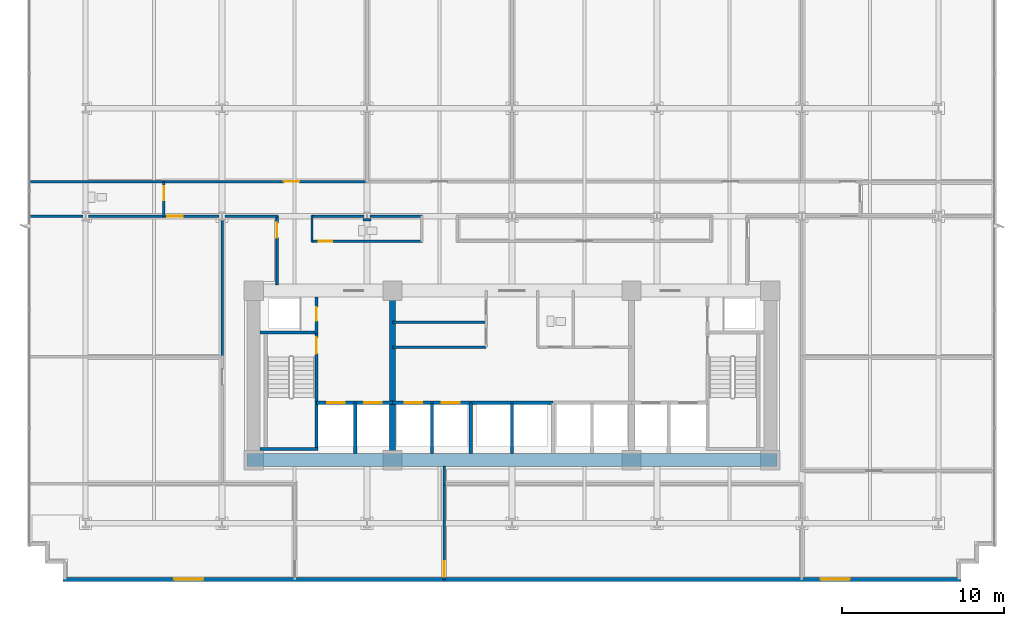
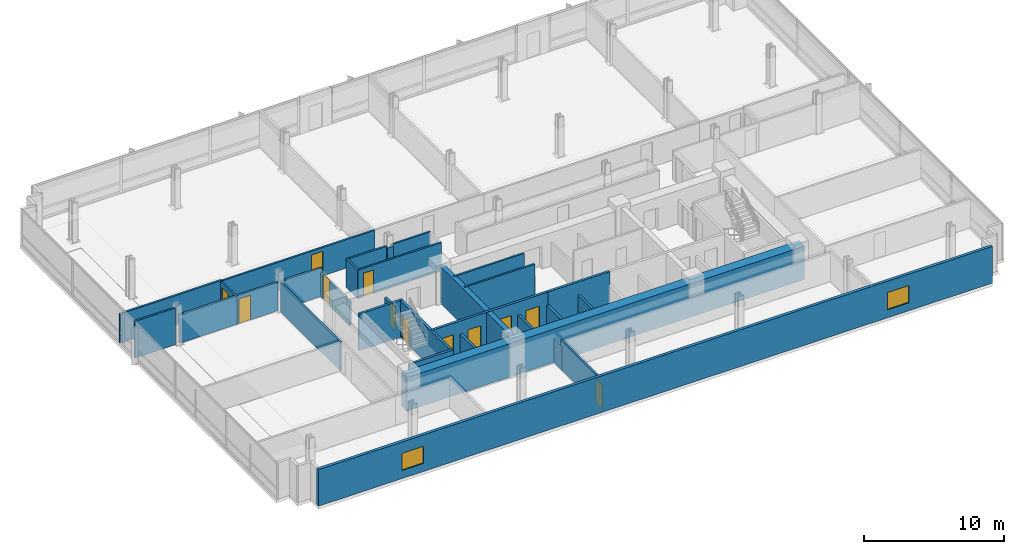
# One storey, part 8 of 14: 32 walls, 12 doors, 2 windows, 14 openings.
"""IFC4 building model written with IfcOpenShell, lengths in metres."""

from ifc_helpers import new_model, si_unit, direction, frame, frame_2d, origin, place, context, subcontext, project, spatial, rectangle, extrude, material, layer, layer_set, type_object, element, fill, save


model = new_model("IFC4")

# Units and contexts
model_context = context("Model", 3, precision=1e-05, world=origin(), true_north=direction((0.0, 1.0)))
body_context = subcontext(model_context, "Body", "Model", "MODEL_VIEW")
ifc_project = project(units=[si_unit("LENGTHUNIT", "METRE"), si_unit("AREAUNIT", "SQUARE_METRE"), si_unit("VOLUMEUNIT", "CUBIC_METRE"), si_unit("PLANEANGLEUNIT", "RADIAN"), si_unit("MASSUNIT", "GRAM", prefix="KILO")], contexts=[model_context])

# Site, building, storey
site_placement = place(None, origin())
site = spatial("IfcSite", under=ifc_project, at=site_placement, CompositionType="ELEMENT")
building_placement = place(site_placement, origin())
building = spatial("IfcBuilding", under=site, at=building_placement, Name="Solmavex Isthmus Hotel", CompositionType="ELEMENT")
storey_placement = place(building_placement, frame((0.0, 0.0, 50.550048828125)))
storey = spatial("IfcBuildingStorey", under=building, at=storey_placement, Name="L13", CompositionType="ELEMENT", Elevation=50.550048828125)

# Wall, openings, windows
ifc_material_1 = material(Name="Precast Concrete C40/50", Category="concrete")
ifc_layer_1 = layer(ifc_material_1, 0.25)
ifc_layer_set_1 = layer_set([ifc_layer_1], Name="Precast Concrete C40/50")
wall_type_1 = type_object("IfcWallType", Name="EW-TWR-250", PredefinedType="STANDARD", material=ifc_layer_set_1)
wall_1_placement = place(storey_placement, frame((-27.800048828125, -20.3798828125, 0.0), z_axis=(0.0, 0.0, 1.0), x_axis=(1.0, 0.0, 0.0)))
wall_1 = element("IfcWall", 1, at=wall_1_placement, inside=storey, type_object=wall_type_1, Name="Tower Rear South Facade Wall L13", PredefinedType="STANDARD", context=body_context, shape_type="SweptSolid", body=[
    extrude(rectangle(XDim=55.60009765625, YDim=0.239990234375, at=frame_2d((27.800048828125, 0.0))), origin(), (0.0, 0.0, 1.0), 3.18994140625),
])
opening_1_placement = place(wall_1_placement, frame((6.884033203125, 0.0, 0.699951171875)))
opening_1 = element("IfcOpeningElement", 2, at=opening_1_placement, cuts=wall_1, Name="Opening WN-02", PredefinedType="OPENING", context=body_context, shape_type="SweptSolid", body=[
    extrude(rectangle(XDim=1.800048828125, YDim=1.5, at=frame_2d((0.89990234375, 0.75))), frame((0.0, 0.1298828125, 0.0), z_axis=(0.0, -1.0, 0.0), x_axis=(1.0, 0.0, 0.0)), (0.0, 0.0, 1.0), 0.260009765625),
])
opening_2_placement = place(wall_1_placement, frame((46.916015625, 0.0, 0.699951171875)))
opening_2 = element("IfcOpeningElement", 3, at=opening_2_placement, cuts=wall_1, Name="Opening WN-02", PredefinedType="OPENING", context=body_context, shape_type="SweptSolid", body=[
    extrude(rectangle(XDim=1.800048828125, YDim=1.5, at=frame_2d((0.89990234375, 0.75))), frame((0.0, 0.1298828125, 0.0), z_axis=(0.0, -1.0, 0.0), x_axis=(1.0, 0.0, 0.0)), (0.0, 0.0, 1.0), 0.260009765625),
])
ifc_material_2 = material(Name="Clear low-E laminated glass", Category="glass")
window_type = type_object("IfcWindowType", Name="WIN-TWR-1800", PartitioningType="SINGLE_PANEL", PredefinedType="WINDOW", material=ifc_material_2)
window_1_placement = place(opening_1_placement, origin())
window_1 = element("IfcWindow", 4, at=window_1_placement, inside=storey, type_object=window_type, Name="South Facade Vision Window L13-S1", OverallHeight=1.5, OverallWidth=1.800048828125, PartitioningType="SINGLE_PANEL", PredefinedType="WINDOW", context=body_context, shape_type="SweptSolid", body=[
    extrude(rectangle(XDim=1.800048828125, YDim=1.5, at=frame_2d((0.89990234375, 0.75))), frame((0.0, 0.030029296875, 0.0), z_axis=(0.0, -1.0, 0.0), x_axis=(1.0, 0.0, 0.0)), (0.0, 0.0, 1.0), 0.06005859375),
])
fill(opening_1, window_1)
window_2_placement = place(opening_2_placement, origin())
window_2 = element("IfcWindow", 5, at=window_2_placement, inside=storey, type_object=window_type, Name="South Facade Vision Window L13-S2", OverallHeight=1.5, OverallWidth=1.800048828125, PartitioningType="SINGLE_PANEL", PredefinedType="WINDOW", context=body_context, shape_type="SweptSolid", body=[
    extrude(rectangle(XDim=1.800048828125, YDim=1.5, at=frame_2d((0.89990234375, 0.75))), frame((0.0, 0.030029296875, 0.0), z_axis=(0.0, -1.0, 0.0), x_axis=(1.0, 0.0, 0.0)), (0.0, 0.0, 1.0), 0.06005859375),
])
fill(opening_2, window_2)

# Walls
ifc_material_3 = material(Name="Gypsum plasterboard lining", Category="gypsum")
ifc_layer_2 = layer(ifc_material_3, 0.159912109375)
ifc_layer_set_2 = layer_set([ifc_layer_2], Name="Gypsum plasterboard lining")
wall_type_2 = type_object("IfcWallType", Name="IW-COMP-160", PredefinedType="PARTITIONING", material=ifc_layer_set_2)
wall_2_placement = place(storey_placement, frame((-21.511962890625, 4.22998046875, 0.0), z_axis=(0.0, 0.0, 1.0), x_axis=(-1.0, 0.0, 0.0)))
element("IfcWall", 6, at=wall_2_placement, inside=storey, type_object=wall_type_2, Name="Interior Partition Wall W-L13-P030", PredefinedType="PARTITIONING", context=body_context, shape_type="SweptSolid", body=[
    extrude(rectangle(XDim=8.407958984375, YDim=0.159912109375, at=frame_2d((4.2041015625, 0.0))), origin(), (0.0, 0.0, 1.0), 2.55322265625),
])
wall_3_placement = place(storey_placement, frame((-26.574951171875, 2.10009765625, 0.0), z_axis=(0.0, 0.0, 1.0), x_axis=(-1.0, 0.0, 0.0)))
element("IfcWall", 7, at=wall_3_placement, inside=storey, type_object=wall_type_2, Name="Interior Partition Wall W-L13-P038", PredefinedType="PARTITIONING", context=body_context, shape_type="SweptSolid", body=[
    extrude(rectangle(XDim=3.344970703125, YDim=0.159912109375, at=frame_2d((1.67236328125, 0.0))), origin(), (0.0, 0.0, 1.0), 3.18994140625),
])
wall_4_placement = place(storey_placement, frame((-21.511962890625, 2.10009765625, 0.0), z_axis=(0.0, 0.0, 1.0), x_axis=(-1.0, 0.0, 0.0)))
element("IfcWall", 8, at=wall_4_placement, inside=storey, type_object=wall_type_2, Name="Interior Partition Wall W-L13-P039", PredefinedType="PARTITIONING", context=body_context, shape_type="SweptSolid", body=[
    extrude(rectangle(XDim=4.713134765625, YDim=0.159912109375, at=frame_2d((2.3564453125, 0.0))), origin(), (0.0, 0.0, 1.0), 2.4794921875),
])
wall_5_placement = place(storey_placement, frame((-4.199951171875, -13.360107421875, 0.0), z_axis=(0.0, 0.0, 1.0), x_axis=(0.0, -1.0, 0.0)))
element("IfcWall", 9, at=wall_5_placement, inside=storey, type_object=wall_type_2, Name="Interior Partition Wall W-L13-P042", PredefinedType="PARTITIONING", context=body_context, shape_type="SweptSolid", body=[
    extrude(rectangle(XDim=1.171875, YDim=0.159912109375, at=frame_2d((0.5859375, 0.0))), origin(), (0.0, 0.0, 1.0), 2.074951171875),
])
wall_6_placement = place(storey_placement, frame((-17.951904296875, -6.681884765625, 0.0), z_axis=(0.0, 0.0, 1.0), x_axis=(0.0, 1.0, 0.0)))
element("IfcWall", 10, at=wall_6_placement, inside=storey, type_object=wall_type_2, Name="Interior Partition Wall W-L13-P046", PredefinedType="PARTITIONING", context=body_context, shape_type="SweptSolid", body=[
    extrude(rectangle(XDim=8.60693359375, YDim=0.159912109375, at=frame_2d((4.303466796875, 0.0))), origin(), (0.0, 0.0, 1.0), 2.4794921875),
])

# Wall, opening, door
wall_7_placement = place(storey_placement, frame((-4.199951171875, -14.367919921875, 0.0), z_axis=(0.0, 0.0, 1.0), x_axis=(0.0, -1.0, 0.0)))
wall_7 = element("IfcWall", 11, at=wall_7_placement, inside=storey, type_object=wall_type_2, Name="Interior Partition Wall W-L13-P047", PredefinedType="PARTITIONING", context=body_context, shape_type="SweptSolid", body=[
    extrude(rectangle(XDim=6.052001953125, YDim=0.159912109375, at=frame_2d((3.02587890625, 0.0))), origin(), (0.0, 0.0, 1.0), 2.55322265625),
])
opening_3_placement = place(wall_7_placement, frame((4.89208984375, 0.0, 0.0)))
opening_3 = element("IfcOpeningElement", 12, at=opening_3_placement, cuts=wall_7, Name="Opening ID-C095", PredefinedType="OPENING", context=body_context, shape_type="SweptSolid", body=[
    extrude(rectangle(XDim=0.949951171875, YDim=2.14990234375, at=frame_2d((0.47509765625, 1.074951171875))), frame((0.0, 0.08984375, 0.0), z_axis=(0.0, -1.0, 0.0), x_axis=(1.0, 0.0, 0.0)), (0.0, 0.0, 1.0), 0.179931640625),
])
ifc_material_4 = material(Name="Hardwood timber", Category="wood")
door_type_1 = type_object("IfcDoorType", Name="IDR-FD60-0950", OperationType="NOTDEFINED", PredefinedType="DOOR", material=ifc_material_4)
door_1_placement = place(opening_3_placement, frame((0.949951171875, 0.0, 0.0), z_axis=(0.0, 0.0, 1.0), x_axis=(-1.0, 0.0, 0.0)))
door_1 = element("IfcDoor", 13, at=door_1_placement, inside=storey, type_object=door_type_1, Name="Corporate Briefing Office Door L13-16", OperationType="SINGLE_SWING_RIGHT", OverallHeight=2.14990234375, OverallWidth=0.949951171875, PredefinedType="DOOR", context=body_context, shape_type="SweptSolid", body=[
    extrude(rectangle(XDim=0.949951171875, YDim=2.14990234375, at=frame_2d((0.47509765625, 1.074951171875))), frame((0.0, 0.02490234375, 0.0), z_axis=(0.0, -1.0, 0.0), x_axis=(1.0, 0.0, 0.0)), (0.0, 0.0, 1.0), 0.050048828125),
])
fill(opening_3, door_1)

# Wall
ifc_layer_3 = layer(ifc_material_3, 0.14990234375)
ifc_layer_set_3 = layer_set([ifc_layer_3], Name="Gypsum plasterboard lining")
wall_type_3 = type_object("IfcWallType", Name="IW-CORR-150", PredefinedType="PARTITIONING", material=ifc_layer_set_3)
wall_8_placement = place(storey_placement, frame((-7.39990234375, -6.0, 0.0), z_axis=(0.0, 0.0, 1.0), x_axis=(1.0, 0.0, 0.0)))
element("IfcWall", 14, at=wall_8_placement, inside=storey, type_object=wall_type_3, Name="Interior Partition Wall W-L13-BOH-WS", PredefinedType="PARTITIONING", context=body_context, shape_type="SweptSolid", body=[
    extrude(rectangle(XDim=5.7998046875, YDim=0.14990234375, at=frame_2d((2.89990234375, 0.0))), origin(), (0.0, 0.0, 1.0), 3.18994140625),
])

# Wall, opening, door
wall_9_placement = place(storey_placement, frame((-21.592041015625, 4.25, 0.0), z_axis=(0.0, 0.0, 1.0), x_axis=(1.0, 0.0, 0.0)))
wall_9 = element("IfcWall", 15, at=wall_9_placement, inside=storey, type_object=wall_type_3, Name="Interior Partition Wall W-L13-P001", PredefinedType="PARTITIONING", context=body_context, shape_type="SweptSolid", body=[
    extrude(rectangle(XDim=12.697998046875, YDim=0.14990234375, at=frame_2d((6.34912109375, 0.0))), origin(), (0.0, 0.0, 1.0), 2.4794921875),
])
opening_4_placement = place(wall_9_placement, frame((7.4638671875, 0.0, 0.0)))
opening_4 = element("IfcOpeningElement", 16, at=opening_4_placement, cuts=wall_9, Name="Opening ID-C095", PredefinedType="OPENING", context=body_context, shape_type="SweptSolid", body=[
    extrude(rectangle(XDim=0.949951171875, YDim=2.14990234375, at=frame_2d((0.47509765625, 1.074951171875))), frame((0.0, 0.0849609375, 0.0), z_axis=(0.0, -1.0, 0.0), x_axis=(1.0, 0.0, 0.0)), (0.0, 0.0, 1.0), 0.169921875),
])
door_2_placement = place(opening_4_placement, origin())
door_2 = element("IfcDoor", 17, at=door_2_placement, inside=storey, type_object=door_type_1, Name="Corporate Briefing Office Door L13-01", OperationType="SINGLE_SWING_LEFT", OverallHeight=2.14990234375, OverallWidth=0.949951171875, PredefinedType="DOOR", context=body_context, shape_type="SweptSolid", body=[
    extrude(rectangle(XDim=0.949951171875, YDim=2.14990234375, at=frame_2d((0.47509765625, 1.074951171875))), frame((0.0, 0.02490234375, 0.0), z_axis=(0.0, -1.0, 0.0), x_axis=(1.0, 0.0, 0.0)), (0.0, 0.0, 1.0), 0.050048828125),
])
fill(opening_4, door_2)

wall_10_placement = place(storey_placement, frame((-12.424072265625, 0.550048828125, 0.0), z_axis=(0.0, 0.0, 1.0), x_axis=(1.0, 0.0, 0.0)))
wall_10 = element("IfcWall", 18, at=wall_10_placement, inside=storey, type_object=wall_type_3, Name="Interior Partition Wall W-L13-P005", PredefinedType="PARTITIONING", context=body_context, shape_type="SweptSolid", body=[
    extrude(rectangle(XDim=6.8759765625, YDim=0.14990234375, at=frame_2d((3.43798828125, 0.0))), origin(), (0.0, 0.0, 1.0), 2.4794921875),
])
opening_5_placement = place(wall_10_placement, frame((0.444091796875, 0.0, 0.0)))
opening_5 = element("IfcOpeningElement", 19, at=opening_5_placement, cuts=wall_10, Name="Opening ID-R085", PredefinedType="OPENING", context=body_context, shape_type="SweptSolid", body=[
    extrude(rectangle(XDim=0.85009765625, YDim=2.050048828125, at=frame_2d((0.425048828125, 1.02490234375))), frame((0.0, 0.0849609375, 0.0), z_axis=(0.0, -1.0, 0.0), x_axis=(1.0, 0.0, 0.0)), (0.0, 0.0, 1.0), 0.169921875),
])
ifc_material_5 = material(Name="Steel ASTM A500 Grade C", Category="steel")
door_type_2 = type_object("IfcDoorType", Name="IDR-FD60-0850", OperationType="NOTDEFINED", PredefinedType="DOOR", material=ifc_material_5)
door_3_placement = place(opening_5_placement, frame((0.85009765625, 0.0, 0.0), z_axis=(0.0, 0.0, 1.0), x_axis=(-1.0, 0.0, 0.0)))
door_3 = element("IfcDoor", 20, at=door_3_placement, inside=storey, type_object=door_type_2, Name="Accessible Public Restroom WC Door L13-05", OperationType="SINGLE_SWING_LEFT", OverallHeight=2.050048828125, OverallWidth=0.85009765625, PredefinedType="DOOR", context=body_context, shape_type="SweptSolid", body=[
    extrude(rectangle(XDim=0.85009765625, YDim=2.050048828125, at=frame_2d((0.425048828125, 1.02490234375))), frame((0.0, 0.02490234375, 0.0), z_axis=(0.0, -1.0, 0.0), x_axis=(1.0, 0.0, 0.0)), (0.0, 0.0, 1.0), 0.050048828125),
])
fill(opening_5, door_3)

# Walls
wall_11_placement = place(storey_placement, frame((-5.548095703125, 2.10009765625, 0.0), z_axis=(0.0, 0.0, 1.0), x_axis=(-1.0, 0.0, 0.0)))
element("IfcWall", 21, at=wall_11_placement, inside=storey, type_object=wall_type_3, Name="Interior Partition Wall W-L13-P007", PredefinedType="PARTITIONING", context=body_context, shape_type="SweptSolid", body=[
    extrude(rectangle(XDim=3.2529296875, YDim=0.14990234375, at=frame_2d((1.62646484375, 0.0))), origin(), (0.0, 0.0, 1.0), 2.4794921875),
])
wall_12_placement = place(storey_placement, frame((-8.720947265625, 1.885009765625, 0.0), z_axis=(0.0, 0.0, 1.0), x_axis=(-1.0, 0.0, 0.0)))
element("IfcWall", 22, at=wall_12_placement, inside=storey, type_object=wall_type_3, Name="Interior Partition Wall W-L13-P008", PredefinedType="PARTITIONING", context=body_context, shape_type="SweptSolid", body=[
    extrude(rectangle(XDim=0.510009765625, YDim=0.14990234375, at=frame_2d((0.2548828125, 0.0))), origin(), (0.0, 0.0, 1.0), 2.4794921875),
])
wall_13_placement = place(storey_placement, frame((-9.15087890625, 2.10009765625, 0.0), z_axis=(0.0, 0.0, 1.0), x_axis=(-1.0, 0.0, 0.0)))
element("IfcWall", 23, at=wall_13_placement, inside=storey, type_object=wall_type_3, Name="Interior Partition Wall W-L13-P009", PredefinedType="PARTITIONING", context=body_context, shape_type="SweptSolid", body=[
    extrude(rectangle(XDim=3.273193359375, YDim=0.14990234375, at=frame_2d((1.63671875, 0.0))), origin(), (0.0, 0.0, 1.0), 2.4794921875),
])
wall_14_placement = place(storey_placement, frame((-12.384033203125, 2.139892578125, 0.0), z_axis=(0.0, 0.0, 1.0), x_axis=(0.0, -1.0, 0.0)))
element("IfcWall", 24, at=wall_14_placement, inside=storey, type_object=wall_type_3, Name="Interior Partition Wall W-L13-P010", PredefinedType="PARTITIONING", context=body_context, shape_type="SweptSolid", body=[
    extrude(rectangle(XDim=1.6298828125, YDim=0.14990234375, at=frame_2d((0.81494140625, 0.0))), origin(), (0.0, 0.0, 1.0), 2.4794921875),
])

# Wall, opening, door
wall_15_placement = place(storey_placement, frame((-21.552001953125, 2.06005859375, 0.0), z_axis=(0.0, 0.0, 1.0), x_axis=(0.0, 1.0, 0.0)))
wall_15 = element("IfcWall", 25, at=wall_15_placement, inside=storey, type_object=wall_type_3, Name="Interior Partition Wall W-L13-P011", PredefinedType="PARTITIONING", context=body_context, shape_type="SweptSolid", body=[
    extrude(rectangle(XDim=2.2099609375, YDim=0.14990234375, at=frame_2d((1.10498046875, 0.0))), origin(), (0.0, 0.0, 1.0), 2.4794921875),
])
opening_6_placement = place(wall_15_placement, frame((1.037841796875, 0.0, 0.0)))
opening_6 = element("IfcOpeningElement", 26, at=opening_6_placement, cuts=wall_15, Name="Opening ID-R085", PredefinedType="OPENING", context=body_context, shape_type="SweptSolid", body=[
    extrude(rectangle(XDim=0.85009765625, YDim=2.050048828125, at=frame_2d((0.425048828125, 1.02490234375))), frame((0.0, 0.0849609375, 0.0), z_axis=(0.0, -1.0, 0.0), x_axis=(1.0, 0.0, 0.0)), (0.0, 0.0, 1.0), 0.169921875),
])
door_4_placement = place(opening_6_placement, origin())
door_4 = element("IfcDoor", 27, at=door_4_placement, inside=storey, type_object=door_type_2, Name="Public Restroom WC Door L13-06", OperationType="SINGLE_SWING_RIGHT", OverallHeight=2.050048828125, OverallWidth=0.85009765625, PredefinedType="DOOR", context=body_context, shape_type="SweptSolid", body=[
    extrude(rectangle(XDim=0.85009765625, YDim=2.050048828125, at=frame_2d((0.425048828125, 1.02490234375))), frame((0.0, 0.02490234375, 0.0), z_axis=(0.0, -1.0, 0.0), x_axis=(1.0, 0.0, 0.0)), (0.0, 0.0, 1.0), 0.050048828125),
])
fill(opening_6, door_4)

wall_16_placement = place(storey_placement, frame((-14.5439453125, -2.139892578125, 0.0), z_axis=(0.0, 0.0, 1.0), x_axis=(0.0, 1.0, 0.0)))
wall_16 = element("IfcWall", 28, at=wall_16_placement, inside=storey, type_object=wall_type_3, Name="Interior Partition Wall W-L13-P021", PredefinedType="PARTITIONING", context=body_context, shape_type="SweptSolid", body=[
    extrude(rectangle(XDim=4.27978515625, YDim=0.14990234375, at=frame_2d((2.139892578125, 0.0))), origin(), (0.0, 0.0, 1.0), 2.074951171875),
])
opening_7_placement = place(wall_16_placement, frame((2.89990234375, 0.0, 0.0)))
opening_7 = element("IfcOpeningElement", 29, at=opening_7_placement, cuts=wall_16, Name="Opening ID-C095", PredefinedType="OPENING", context=body_context, shape_type="SweptSolid", body=[
    extrude(rectangle(XDim=0.949951171875, YDim=2.14990234375, at=frame_2d((0.47509765625, 1.074951171875))), frame((0.0, 0.0849609375, 0.0), z_axis=(0.0, -1.0, 0.0), x_axis=(1.0, 0.0, 0.0)), (0.0, 0.0, 1.0), 0.169921875),
])
door_5_placement = place(opening_7_placement, frame((0.949951171875, 0.0, 0.0), z_axis=(0.0, 0.0, 1.0), x_axis=(-1.0, 0.0, 0.0)))
door_5 = element("IfcDoor", 30, at=door_5_placement, inside=storey, type_object=door_type_1, Name="Executive Boardroom Door L13-09", OperationType="SINGLE_SWING_LEFT", OverallHeight=2.14990234375, OverallWidth=0.949951171875, PredefinedType="DOOR", context=body_context, shape_type="SweptSolid", body=[
    extrude(rectangle(XDim=0.949951171875, YDim=2.14990234375, at=frame_2d((0.47509765625, 1.074951171875))), frame((0.0, 0.02490234375, 0.0), z_axis=(0.0, -1.0, 0.0), x_axis=(1.0, 0.0, 0.0)), (0.0, 0.0, 1.0), 0.050048828125),
])
fill(opening_7, door_5)

# Wall
wall_17_placement = place(storey_placement, frame((-14.50390625, 2.10009765625, 0.0), z_axis=(0.0, 0.0, 1.0), x_axis=(-1.0, 0.0, 0.0)))
element("IfcWall", 31, at=wall_17_placement, inside=storey, type_object=wall_type_3, Name="Interior Partition Wall W-L13-P022", PredefinedType="PARTITIONING", context=body_context, shape_type="SweptSolid", body=[
    extrude(rectangle(XDim=3.273193359375, YDim=0.14990234375, at=frame_2d((1.63671875, 0.0))), origin(), (0.0, 0.0, 1.0), 2.4794921875),
])

# Wall, opening, door
wall_18_placement = place(storey_placement, frame((-18.126953125, 2.10009765625, 0.0), z_axis=(0.0, 0.0, 1.0), x_axis=(-1.0, 0.0, 0.0)))
wall_18 = element("IfcWall", 32, at=wall_18_placement, inside=storey, type_object=wall_type_3, Name="Interior Partition Wall W-L13-P025", PredefinedType="PARTITIONING", context=body_context, shape_type="SweptSolid", body=[
    extrude(rectangle(XDim=3.465087890625, YDim=0.14990234375, at=frame_2d((1.732421875, 0.0))), origin(), (0.0, 0.0, 1.0), 2.4794921875),
])
opening_8_placement = place(wall_18_placement, frame((2.252685546875, 0.0, 0.0)))
opening_8 = element("IfcOpeningElement", 33, at=opening_8_placement, cuts=wall_18, Name="Opening ID-C095", PredefinedType="OPENING", context=body_context, shape_type="SweptSolid", body=[
    extrude(rectangle(XDim=0.949951171875, YDim=2.14990234375, at=frame_2d((0.47509765625, 1.074951171875))), frame((0.0, 0.0849609375, 0.0), z_axis=(0.0, -1.0, 0.0), x_axis=(1.0, 0.0, 0.0)), (0.0, 0.0, 1.0), 0.169921875),
])
door_6_placement = place(opening_8_placement, origin())
door_6 = element("IfcDoor", 34, at=door_6_placement, inside=storey, type_object=door_type_1, Name="Executive Boardroom Door L13-14", OperationType="SINGLE_SWING_RIGHT", OverallHeight=2.14990234375, OverallWidth=0.949951171875, PredefinedType="DOOR", context=body_context, shape_type="SweptSolid", body=[
    extrude(rectangle(XDim=0.949951171875, YDim=2.14990234375, at=frame_2d((0.47509765625, 1.074951171875))), frame((0.0, 0.02490234375, 0.0), z_axis=(0.0, -1.0, 0.0), x_axis=(1.0, 0.0, 0.0)), (0.0, 0.0, 1.0), 0.050048828125),
])
fill(opening_8, door_6)

# Walls
ifc_layer_4 = layer(ifc_material_3, 0.1201171875)
ifc_layer_set_4 = layer_set([ifc_layer_4], Name="Gypsum plasterboard lining")
wall_type_4 = type_object("IfcWallType", Name="IW-PART-120", PredefinedType="PARTITIONING", material=ifc_layer_set_4)
wall_19_placement = place(storey_placement, frame((-7.39990234375, -4.449951171875, 0.0), z_axis=(0.0, 0.0, 1.0), x_axis=(1.0, 0.0, 0.0)))
element("IfcWall", 35, at=wall_19_placement, inside=storey, type_object=wall_type_4, Name="Interior Partition Wall W-L13-BOH-WH3", PredefinedType="PARTITIONING", context=body_context, shape_type="SweptSolid", body=[
    extrude(rectangle(XDim=5.7998046875, YDim=0.14990234375, at=frame_2d((2.89990234375, 0.0))), origin(), (0.0, 0.0, 1.0), 3.18994140625),
])
ifc_material_6 = material(Name="Concrete C40/50", Category="concrete")
ifc_layer_5 = layer(ifc_material_6, 0.179931640625)
ifc_layer_set_5 = layer_set([ifc_layer_5], Name="Concrete C40/50")
wall_type_5 = type_object("IfcWallType", Name="IW-SHAFT-180", PredefinedType="PARTITIONING", material=ifc_layer_set_5)
for number, where, z_axis, x_axis, name in (
    (36, (-4.949951171875, -12.60009765625, 0.0), (0.0, 0.0, 1.0), (0.0, 1.0, 0.0), "Interior Partition Wall W-L13-SH-PLL-M"),
    (37, (0.0, -12.60009765625, 0.0), (0.0, 0.0, 1.0), (0.0, 1.0, 0.0), "Interior Partition Wall W-L13-SH-PLM-M"),
):
    element("IfcWall", number, at=place(storey_placement, frame(where, z_axis=z_axis, x_axis=x_axis)), inside=storey, type_object=wall_type_5, Name=name, PredefinedType="PARTITIONING", context=body_context, shape_type="SweptSolid", body=[
        extrude(rectangle(XDim=3.150146484375, YDim=0.179931640625, at=frame_2d((1.5751953125, 0.0))), origin(), (0.0, 0.0, 1.0), 2.074951171875),
    ])

# Wall, opening, door
ifc_layer_6 = layer(ifc_material_6, 0.199951171875)
ifc_layer_set_6 = layer_set([ifc_layer_6], Name="Concrete C40/50")
wall_type_6 = type_object("IfcWallType", Name="IW-SHAFT-200", PredefinedType="PARTITIONING", material=ifc_layer_set_6)
wall_20_placement = place(storey_placement, frame((-12.10009765625, -5.199951171875, 0.0), z_axis=(0.0, 0.0, 1.0), x_axis=(0.0, 1.0, 0.0)))
wall_20 = element("IfcWall", 38, at=wall_20_placement, inside=storey, type_object=wall_type_6, Name="Interior Partition Wall W-L13-RSW-E", PredefinedType="PARTITIONING", context=body_context, shape_type="SweptSolid", body=[
    extrude(rectangle(XDim=2.300048828125, YDim=0.199951171875, at=frame_2d((1.14990234375, 0.0))), origin(), (0.0, 0.0, 1.0), 2.074951171875),
])
opening_9_placement = place(wall_20_placement, frame((0.824951171875, 0.0, 0.0)))
opening_9 = element("IfcOpeningElement", 39, at=opening_9_placement, cuts=wall_20, Name="Opening ID-R085", PredefinedType="OPENING", context=body_context, shape_type="SweptSolid", body=[
    extrude(rectangle(XDim=0.85009765625, YDim=2.050048828125, at=frame_2d((0.425048828125, 1.02490234375))), frame((0.0, 0.10986328125, 0.0), z_axis=(0.0, -1.0, 0.0), x_axis=(1.0, 0.0, 0.0)), (0.0, 0.0, 1.0), 0.219970703125),
])
door_7_placement = place(opening_9_placement, origin())
door_7 = element("IfcDoor", 40, at=door_7_placement, inside=storey, type_object=door_type_2, Name="Electrical Riser Door L13", OperationType="SINGLE_SWING_RIGHT", OverallHeight=2.050048828125, OverallWidth=0.85009765625, PredefinedType="DOOR", context=body_context, shape_type="SweptSolid", body=[
    extrude(rectangle(XDim=0.85009765625, YDim=2.050048828125, at=frame_2d((0.425048828125, 1.02490234375))), frame((0.0, 0.02490234375, 0.0), z_axis=(0.0, -1.0, 0.0), x_axis=(1.0, 0.0, 0.0)), (0.0, 0.0, 1.0), 0.050048828125),
])
fill(opening_9, door_7)

# Wall, openings, doors
wall_21_placement = place(storey_placement, frame((-12.10009765625, -9.449951171875, 0.0), z_axis=(0.0, 0.0, 1.0), x_axis=(1.0, 0.0, 0.0)))
wall_21 = element("IfcWall", 41, at=wall_21_placement, inside=storey, type_object=wall_type_6, Name="Interior Partition Wall W-L13-FFLW-S", PredefinedType="PARTITIONING", context=body_context, shape_type="SweptSolid", body=[
    extrude(rectangle(XDim=4.7001953125, YDim=0.199951171875, at=frame_2d((2.35009765625, 0.0))), origin(), (0.0, 0.0, 1.0), 3.18994140625),
])
opening_10_placement = place(wall_21_placement, frame((0.64990234375, 0.0, 0.0)))
opening_10 = element("IfcOpeningElement", 42, at=opening_10_placement, cuts=wall_21, Name="Opening LD-FF", PredefinedType="OPENING", context=body_context, shape_type="SweptSolid", body=[
    extrude(rectangle(XDim=1.10009765625, YDim=2.199951171875, at=frame_2d((0.550048828125, 1.10009765625))), frame((0.0, 0.10986328125, 0.0), z_axis=(0.0, -1.0, 0.0), x_axis=(1.0, 0.0, 0.0)), (0.0, 0.0, 1.0), 0.219970703125),
])
opening_11_placement = place(wall_21_placement, frame((2.949951171875, 0.0, 0.0)))
opening_11 = element("IfcOpeningElement", 43, at=opening_11_placement, cuts=wall_21, Name="Opening LD-SV", PredefinedType="OPENING", context=body_context, shape_type="SweptSolid", body=[
    extrude(rectangle(XDim=1.10009765625, YDim=2.199951171875, at=frame_2d((0.550048828125, 1.10009765625))), frame((0.0, 0.10986328125, 0.0), z_axis=(0.0, -1.0, 0.0), x_axis=(1.0, 0.0, 0.0)), (0.0, 0.0, 1.0), 0.219970703125),
])
ifc_material_7 = material(Name="Stainless steel 316", Category="steel")
door_type_3 = type_object("IfcDoorType", Name="LDR-FF-1100", OperationType="NOTDEFINED", PredefinedType="DOOR", material=ifc_material_7)
door_8_placement = place(opening_10_placement, origin())
door_8 = element("IfcDoor", 44, at=door_8_placement, inside=storey, type_object=door_type_3, Name="Lift Landing Door FFL-1 L13", OperationType="SLIDING_TO_LEFT", OverallHeight=2.199951171875, OverallWidth=1.10009765625, PredefinedType="DOOR", context=body_context, shape_type="SweptSolid", body=[
    extrude(rectangle(XDim=1.10009765625, YDim=2.199951171875, at=frame_2d((0.550048828125, 1.10009765625))), frame((0.0, 0.02490234375, 0.0), z_axis=(0.0, -1.0, 0.0), x_axis=(1.0, 0.0, 0.0)), (0.0, 0.0, 1.0), 0.050048828125),
])
fill(opening_10, door_8)
door_type_4 = type_object("IfcDoorType", Name="LDR-SV-1100", OperationType="NOTDEFINED", PredefinedType="DOOR", material=ifc_material_7)
door_9_placement = place(opening_11_placement, origin())
door_9 = element("IfcDoor", 45, at=door_9_placement, inside=storey, type_object=door_type_4, Name="Lift Landing Door SVL-1 L13", OperationType="SLIDING_TO_RIGHT", OverallHeight=2.199951171875, OverallWidth=1.10009765625, PredefinedType="DOOR", context=body_context, shape_type="SweptSolid", body=[
    extrude(rectangle(XDim=1.10009765625, YDim=2.199951171875, at=frame_2d((0.550048828125, 1.10009765625))), frame((0.0, 0.02490234375, 0.0), z_axis=(0.0, -1.0, 0.0), x_axis=(1.0, 0.0, 0.0)), (0.0, 0.0, 1.0), 0.050048828125),
])
fill(opening_11, door_9)

# Wall
wall_22_placement = place(storey_placement, frame((-9.699951171875, -12.60009765625, 0.0), z_axis=(0.0, 0.0, 1.0), x_axis=(0.0, 1.0, 0.0)))
element("IfcWall", 46, at=wall_22_placement, inside=storey, type_object=wall_type_6, Name="Interior Partition Wall W-L13-FFLW-M", PredefinedType="PARTITIONING", context=body_context, shape_type="SweptSolid", body=[
    extrude(rectangle(XDim=3.150146484375, YDim=0.199951171875, at=frame_2d((1.5751953125, 0.0))), origin(), (0.0, 0.0, 1.0), 2.074951171875),
])

# Wall, openings, doors
wall_23_placement = place(storey_placement, frame((-7.39990234375, -9.449951171875, 0.0), z_axis=(0.0, 0.0, 1.0), x_axis=(1.0, 0.0, 0.0)))
wall_23 = element("IfcWall", 47, at=wall_23_placement, inside=storey, type_object=wall_type_6, Name="Interior Partition Wall W-L13-SH-PLL", PredefinedType="PARTITIONING", context=body_context, shape_type="SweptSolid", body=[
    extrude(rectangle(XDim=4.849853515625, YDim=0.199951171875, at=frame_2d((2.4248046875, 0.0))), origin(), (0.0, 0.0, 1.0), 3.18994140625),
])
opening_12_placement = place(wall_23_placement, frame((0.75, 0.0, 0.0)))
opening_12 = element("IfcOpeningElement", 48, at=opening_12_placement, cuts=wall_23, Name="Opening LD-PL", PredefinedType="OPENING", context=body_context, shape_type="SweptSolid", body=[
    extrude(rectangle(XDim=1.10009765625, YDim=2.199951171875, at=frame_2d((0.550048828125, 1.10009765625))), frame((0.0, 0.10986328125, 0.0), z_axis=(0.0, -1.0, 0.0), x_axis=(1.0, 0.0, 0.0)), (0.0, 0.0, 1.0), 0.219970703125),
])
opening_13_placement = place(wall_23_placement, frame((3.050048828125, 0.0, 0.0)))
opening_13 = element("IfcOpeningElement", 49, at=opening_13_placement, cuts=wall_23, Name="Opening LD-PL", PredefinedType="OPENING", context=body_context, shape_type="SweptSolid", body=[
    extrude(rectangle(XDim=1.10009765625, YDim=2.199951171875, at=frame_2d((0.550048828125, 1.10009765625))), frame((0.0, 0.10986328125, 0.0), z_axis=(0.0, -1.0, 0.0), x_axis=(1.0, 0.0, 0.0)), (0.0, 0.0, 1.0), 0.219970703125),
])
door_type_5 = type_object("IfcDoorType", Name="LDR-PL-1100", OperationType="NOTDEFINED", PredefinedType="DOOR", material=ifc_material_7)
door_10_placement = place(opening_12_placement, origin())
door_10 = element("IfcDoor", 50, at=door_10_placement, inside=storey, type_object=door_type_5, Name="Lift Landing Door PLL1 L13", OperationType="SLIDING_TO_LEFT", OverallHeight=2.199951171875, OverallWidth=1.10009765625, PredefinedType="DOOR", context=body_context, shape_type="SweptSolid", body=[
    extrude(rectangle(XDim=1.10009765625, YDim=2.199951171875, at=frame_2d((0.550048828125, 1.10009765625))), frame((0.0, 0.02490234375, 0.0), z_axis=(0.0, -1.0, 0.0), x_axis=(1.0, 0.0, 0.0)), (0.0, 0.0, 1.0), 0.050048828125),
])
fill(opening_12, door_10)
door_11_placement = place(opening_13_placement, origin())
door_11 = element("IfcDoor", 51, at=door_11_placement, inside=storey, type_object=door_type_5, Name="Lift Landing Door PLL2 L13", OperationType="SLIDING_TO_LEFT", OverallHeight=2.199951171875, OverallWidth=1.10009765625, PredefinedType="DOOR", context=body_context, shape_type="SweptSolid", body=[
    extrude(rectangle(XDim=1.10009765625, YDim=2.199951171875, at=frame_2d((0.550048828125, 1.10009765625))), frame((0.0, 0.02490234375, 0.0), z_axis=(0.0, -1.0, 0.0), x_axis=(1.0, 0.0, 0.0)), (0.0, 0.0, 1.0), 0.050048828125),
])
fill(opening_13, door_11)

# Walls
wall_24_placement = place(storey_placement, frame((-2.550048828125, -12.60009765625, 0.0), z_axis=(0.0, 0.0, 1.0), x_axis=(0.0, 1.0, 0.0)))
element("IfcWall", 52, at=wall_24_placement, inside=storey, type_object=wall_type_6, Name="Interior Partition Wall W-L13-SH-PLL-E", PredefinedType="PARTITIONING", context=body_context, shape_type="SweptSolid", body=[
    extrude(rectangle(XDim=3.150146484375, YDim=0.199951171875, at=frame_2d((1.5751953125, 0.0))), origin(), (0.0, 0.0, 1.0), 2.074951171875),
])
wall_25_placement = place(storey_placement, frame((-2.550048828125, -9.449951171875, 0.0), z_axis=(0.0, 0.0, 1.0), x_axis=(1.0, 0.0, 0.0)))
element("IfcWall", 53, at=wall_25_placement, inside=storey, type_object=wall_type_6, Name="Interior Partition Wall W-L13-SH-PLM", PredefinedType="PARTITIONING", context=body_context, shape_type="SweptSolid", body=[
    extrude(rectangle(XDim=5.10009765625, YDim=0.199951171875, at=frame_2d((2.550048828125, 0.0))), origin(), (0.0, 0.0, 1.0), 3.18994140625),
])
ifc_material_8 = material(Name="Concrete C70/85", Category="concrete")
ifc_layer_7 = layer(ifc_material_8, 0.39990234375)
ifc_layer_set_7 = layer_set([ifc_layer_7], Name="Concrete C70/85")
wall_type_7 = type_object("IfcWallType", Name="WALL-CW-400L", PredefinedType="SHEAR", material=ifc_layer_set_7)
wall_26_placement = place(storey_placement, frame((-7.39990234375, -12.60009765625, 0.0), z_axis=(0.0, 0.0, 1.0), x_axis=(0.0, 1.0, 0.0)))
element("IfcWall", 54, at=wall_26_placement, inside=storey, type_object=wall_type_7, Name="Core Cross Shear Wall C1 L13", PredefinedType="SHEAR", context=body_context, shape_type="SweptSolid", body=[
    extrude(rectangle(XDim=9.7001953125, YDim=0.39990234375, at=frame_2d((4.85009765625, 0.0))), origin(), (0.0, 0.0, 1.0), 3.18994140625),
])
ifc_layer_8 = layer(ifc_material_8, 0.800048828125)
ifc_layer_set_8 = layer_set([ifc_layer_8], Name="Concrete C70/85")
wall_type_8 = type_object("IfcWallType", Name="WALL-CW-800", PredefinedType="SHEAR", material=ifc_layer_set_8)
wall_27_placement = place(storey_placement, frame((-16.39990234375, -13.0, 0.0), z_axis=(0.0, 0.0, 1.0), x_axis=(1.0, 0.0, 0.0)))
element("IfcWall", 55, at=wall_27_placement, inside=storey, type_object=wall_type_8, Name="Core Shear Wall South L13", PredefinedType="SHEAR", context=body_context, shape_type="SweptSolid", body=[
    extrude(rectangle(XDim=32.7998046875, YDim=0.800048828125, at=frame_2d((16.39990234375, 0.0))), origin(), (0.0, 0.0, 1.0), 2.909912109375),
])
ifc_layer_9 = layer(ifc_material_6, 0.199951171875)
ifc_layer_set_9 = layer_set([ifc_layer_9], Name="Concrete C40/50")
wall_type_9 = type_object("IfcWallType", Name="WALL-SW-200", PredefinedType="SOLIDWALL", material=ifc_layer_set_9)
for number, where, z_axis, x_axis, name in (
    (56, (-15.60009765625, -12.300048828125, 0.0), (0.0, 0.0, 1.0), (1.0, 0.0, 0.0), "Stairwell Structural Wall SW-L13-ST1-S"),
    (57, (-15.60009765625, -5.10009765625, 0.0), (0.0, 0.0, 1.0), (1.0, 0.0, 0.0), "Stairwell Structural Wall SW-L13-ST1-N"),
):
    element("IfcWall", number, at=place(storey_placement, frame(where, z_axis=z_axis, x_axis=x_axis)), inside=storey, type_object=wall_type_9, Name=name, PredefinedType="SOLIDWALL", context=body_context, shape_type="SweptSolid", body=[
        extrude(rectangle(XDim=3.60009765625, YDim=0.199951171875, at=frame_2d((1.800048828125, 0.0))), origin(), (0.0, 0.0, 1.0), 3.18994140625),
    ])

# Wall, opening, door
wall_28_placement = place(storey_placement, frame((-12.10009765625, -12.199951171875, 0.0), z_axis=(0.0, 0.0, 1.0), x_axis=(0.0, 1.0, 0.0)))
wall_28 = element("IfcWall", 58, at=wall_28_placement, inside=storey, type_object=wall_type_9, Name="Stairwell Structural Wall SW-L13-ST1-E", PredefinedType="SOLIDWALL", context=body_context, shape_type="SweptSolid", body=[
    extrude(rectangle(XDim=7.0, YDim=0.199951171875, at=frame_2d((3.5, 0.0))), origin(), (0.0, 0.0, 1.0), 3.18994140625),
])
opening_14_placement = place(wall_28_placement, frame((5.800048828125, 0.0, 0.0)))
opening_14 = element("IfcOpeningElement", 59, at=opening_14_placement, cuts=wall_28, Name="Opening ID-F100", PredefinedType="OPENING", context=body_context, shape_type="SweptSolid", body=[
    extrude(rectangle(XDim=1.0, YDim=2.10009765625, at=frame_2d((0.5, 1.050048828125))), frame((0.0, 0.10986328125, 0.0), z_axis=(0.0, -1.0, 0.0), x_axis=(1.0, 0.0, 0.0)), (0.0, 0.0, 1.0), 0.219970703125),
])
door_type_6 = type_object("IfcDoorType", Name="IDR-FD90-1000", OperationType="NOTDEFINED", PredefinedType="DOOR", material=ifc_material_5)
door_12_placement = place(opening_14_placement, frame((1.0, 0.0, 0.0), z_axis=(0.0, 0.0, 1.0), x_axis=(-1.0, 0.0, 0.0)))
door_12 = element("IfcDoor", 60, at=door_12_placement, inside=storey, type_object=door_type_6, Name="Stair ST-1 Fire Door L13", OperationType="SINGLE_SWING_LEFT", OverallHeight=2.10009765625, OverallWidth=1.0, PredefinedType="DOOR", context=body_context, shape_type="SweptSolid", body=[
    extrude(rectangle(XDim=1.0, YDim=2.10009765625, at=frame_2d((0.5, 1.050048828125))), frame((0.0, 0.02490234375, 0.0), z_axis=(0.0, -1.0, 0.0), x_axis=(1.0, 0.0, 0.0)), (0.0, 0.0, 1.0), 0.050048828125),
])
fill(opening_14, door_12)

save(model, "model.ifc")
